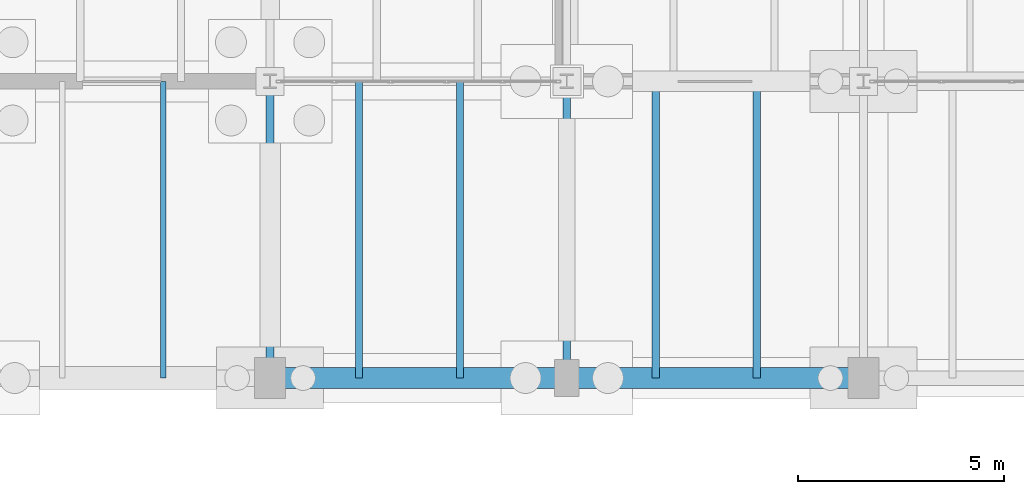
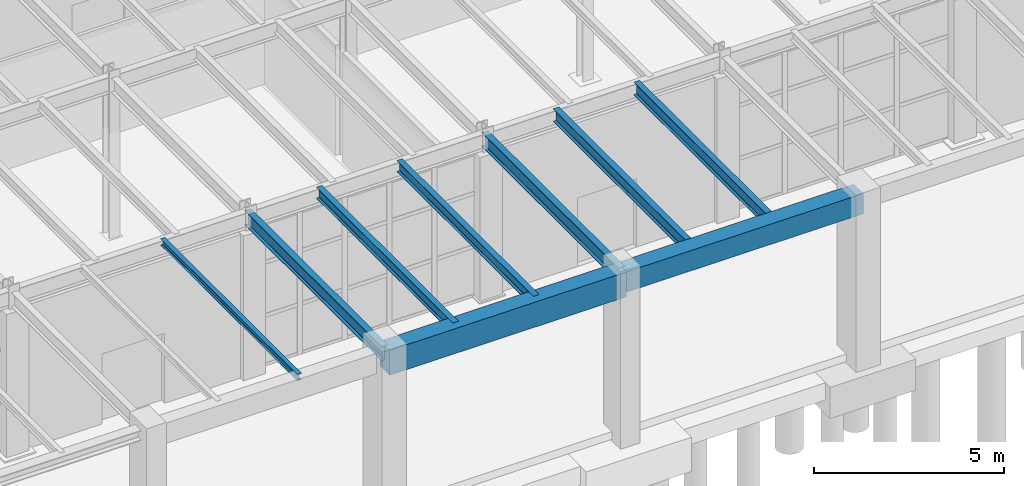
# One storey, part 151 of 293: 9 beams.
"""IFC4 building model written with IfcOpenShell, lengths in metres."""

from ifc_helpers import new_model, si_unit, direction, frame, origin, origin_2d, place, context, subcontext, project, spatial, rectangle, i_section, extrude, material, material_profile, profile_set, type_object, element, save


model = new_model("IFC4")

# Units and contexts
model_context = context("Model", 3, precision=1e-05, world=origin(), true_north=direction((0.0, 1.0)))
body_context = subcontext(model_context, "Body", "Model", "MODEL_VIEW")
ifc_project = project(units=[si_unit("LENGTHUNIT", "METRE"), si_unit("AREAUNIT", "SQUARE_METRE"), si_unit("VOLUMEUNIT", "CUBIC_METRE"), si_unit("PLANEANGLEUNIT", "RADIAN"), si_unit("MASSUNIT", "GRAM", prefix="KILO")], contexts=[model_context])

# Site, building, storey
site_placement = place(None, origin())
site = spatial("IfcSite", under=ifc_project, at=site_placement, CompositionType="ELEMENT")
building_placement = place(site_placement, origin())
building = spatial("IfcBuilding", under=site, at=building_placement, Name="Kemerveld Promenade Tramway Depot", CompositionType="ELEMENT")
storey_placement = place(building_placement, origin())
storey = spatial("IfcBuildingStorey", under=building, at=storey_placement, Name="L00", CompositionType="ELEMENT", Elevation=0.0)

# Beams
ifc_material_1 = material(Name="Steel S355", Category="steel")
ifc_material_profile_1 = material_profile(ifc_material_1, i_section(OverallWidth=0.19140625, OverallDepth=0.4599609375, WebThickness=0.010009765625, FlangeThickness=0.01611328125, FilletRadius=0.01025390625, at=origin_2d()), Name="457x191x82 UB")
ifc_profile_set_1 = profile_set([ifc_material_profile_1], Name="Steel S355")
beam_type_1 = type_object("IfcBeamType", Name="BM-G06", PredefinedType="BEAM", material=ifc_profile_set_1)
for number, where, z_axis, x_axis, name in (
    (1, (129.60009765625, 0.0, 4.945068359375), (0.0, 1.0, 0.0), (-1.0, 0.0, 0.0), "BMY-L00-19-A-B"),
    (2, (136.800048828125, 0.0, 4.945068359375), (0.0, 1.0, 0.0), (-1.0, 0.0, 0.0), "BMY-L00-20-A-B"),
):
    element("IfcBeam", number, at=place(storey_placement, frame(where, z_axis=z_axis, x_axis=x_axis)), inside=storey, type_object=beam_type_1, Name=name, PredefinedType="BEAM", context=body_context, shape_type="SweptSolid", body=[
        extrude(i_section(OverallWidth=0.19140625, OverallDepth=0.4599609375, WebThickness=0.010009765625, FlangeThickness=0.01611328125, FilletRadius=0.01025390625, at=origin_2d()), origin(), (0.0, 0.0, 1.0), 7.199951171875),
    ])
ifc_material_profile_2 = material_profile(ifc_material_1, i_section(OverallWidth=0.13330078125, OverallDepth=0.203125, WebThickness=0.005615234375, FlangeThickness=0.0078125, FilletRadius=0.007568359375, at=origin_2d()), Name="203x133x25 UB")
ifc_profile_set_2 = profile_set([ifc_material_profile_2], Name="Steel S355")
beam_type_2 = type_object("IfcBeamType", Name="BM-J03", PredefinedType="JOIST", material=ifc_profile_set_2)
beam_1_placement = place(storey_placement, frame((127.008056640625, 0.0, 5.073486328125), z_axis=(0.0, 1.0, 0.0), x_axis=(-1.0, 0.0, 0.0)))
element("IfcBeam", 3, at=beam_1_placement, inside=storey, type_object=beam_type_2, Name="JST-L00-18-A-2", PredefinedType="JOIST", context=body_context, shape_type="SweptSolid", body=[
    extrude(i_section(OverallWidth=0.13330078125, OverallDepth=0.203125, WebThickness=0.005615234375, FlangeThickness=0.0078125, FilletRadius=0.007568359375, at=origin_2d()), origin(), (0.0, 0.0, 1.0), 7.199951171875),
])
ifc_material_profile_3 = material_profile(ifc_material_1, i_section(OverallWidth=0.172119140625, OverallDepth=0.35791015625, WebThickness=0.008056640625, FlangeThickness=0.012939453125, FilletRadius=0.01025390625, at=origin_2d()), Name="356x171x57 UB")
ifc_profile_set_3 = profile_set([ifc_material_profile_3], Name="Steel S355")
beam_type_3 = type_object("IfcBeamType", Name="BM-J04", PredefinedType="JOIST", material=ifc_profile_set_3)
for number, where, z_axis, x_axis, name in (
    (4, (131.760009765625, 0.0, 4.99609375), (0.0, 1.0, 0.0), (-1.0, 0.0, 0.0), "JST-L00-19-A-1"),
    (5, (134.2080078125, 0.0, 4.99609375), (0.0, 1.0, 0.0), (-1.0, 0.0, 0.0), "JST-L00-19-A-2"),
):
    element("IfcBeam", number, at=place(storey_placement, frame(where, z_axis=z_axis, x_axis=x_axis)), inside=storey, type_object=beam_type_3, Name=name, PredefinedType="JOIST", context=body_context, shape_type="SweptSolid", body=[
        extrude(i_section(OverallWidth=0.172119140625, OverallDepth=0.35791015625, WebThickness=0.008056640625, FlangeThickness=0.012939453125, FilletRadius=0.01025390625, at=origin_2d()), origin(), (0.0, 0.0, 1.0), 7.199951171875),
    ])
ifc_material_profile_4 = material_profile(ifc_material_1, i_section(OverallWidth=0.1787109375, OverallDepth=0.409423828125, WebThickness=0.0087890625, FlangeThickness=0.014404296875, FilletRadius=0.01025390625, at=origin_2d()), Name="406x178x67 UB")
ifc_profile_set_4 = profile_set([ifc_material_profile_4], Name="Steel S355")
beam_type_4 = type_object("IfcBeamType", Name="BM-J05", PredefinedType="JOIST", material=ifc_profile_set_4)
for number, where, z_axis, x_axis, name in (
    (6, (138.9599609375, 0.0, 4.97021484375), (0.0, 1.0, 0.0), (-1.0, 0.0, 0.0), "JST-L00-20-A-1"),
    (7, (141.407958984375, 0.0, 4.97021484375), (0.0, 1.0, 0.0), (-1.0, 0.0, 0.0), "JST-L00-20-A-2"),
):
    element("IfcBeam", number, at=place(storey_placement, frame(where, z_axis=z_axis, x_axis=x_axis)), inside=storey, type_object=beam_type_4, Name=name, PredefinedType="JOIST", context=body_context, shape_type="SweptSolid", body=[
        extrude(i_section(OverallWidth=0.1787109375, OverallDepth=0.409423828125, WebThickness=0.0087890625, FlangeThickness=0.014404296875, FilletRadius=0.01025390625, at=origin_2d()), origin(), (0.0, 0.0, 1.0), 7.199951171875),
    ])
ifc_material_2 = material(Name="Concrete C40/50", Category="concrete")
ifc_material_profile_5 = material_profile(ifc_material_2, rectangle(XDim=0.5, YDim=0.64990234375, at=origin_2d()), Name="RC-PLINTH-500x650")
ifc_profile_set_5 = profile_set([ifc_material_profile_5], Name="Concrete C40/50")
beam_type_5 = type_object("IfcBeamType", Name="BM-PL1", PredefinedType="BEAM", material=ifc_profile_set_5)
beam_2_placement = place(storey_placement, frame((136.800048828125, 0.0, 4.85009765625), z_axis=(1.0, 0.0, 0.0), x_axis=(0.0, 1.0, 0.0)))
element("IfcBeam", 8, at=beam_2_placement, inside=storey, type_object=beam_type_5, Name="BMX-L00-20-21-A", PredefinedType="BEAM", context=body_context, shape_type="SweptSolid", body=[
    extrude(rectangle(XDim=0.5, YDim=0.64990234375, at=origin_2d()), origin(), (0.0, 0.0, 1.0), 7.199951171875),
])
ifc_material_profile_6 = material_profile(ifc_material_2, rectangle(XDim=0.5, YDim=0.800048828125, at=origin_2d()), Name="RC-BM-500x800")
ifc_profile_set_6 = profile_set([ifc_material_profile_6], Name="Concrete C40/50")
beam_type_6 = type_object("IfcBeamType", Name="BM-RC2", PredefinedType="BEAM", material=ifc_profile_set_6)
beam_3_placement = place(storey_placement, frame((129.60009765625, 0.0, 4.77490234375), z_axis=(1.0, 0.0, 0.0), x_axis=(0.0, 1.0, 0.0)))
element("IfcBeam", 9, at=beam_3_placement, inside=storey, type_object=beam_type_6, Name="BMX-L00-19-20-A", PredefinedType="BEAM", context=body_context, shape_type="SweptSolid", body=[
    extrude(rectangle(XDim=0.5, YDim=0.800048828125, at=origin_2d()), origin(), (0.0, 0.0, 1.0), 7.199951171875),
])

save(model, "model.ifc")
